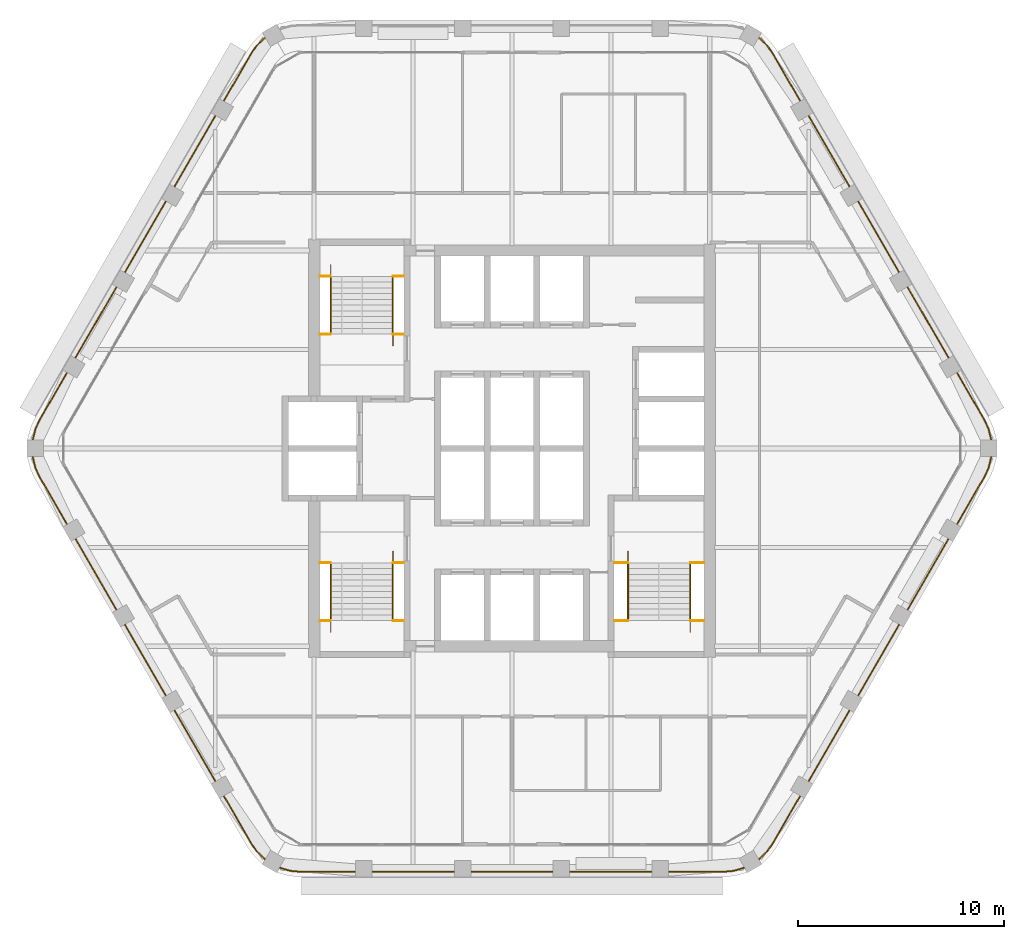
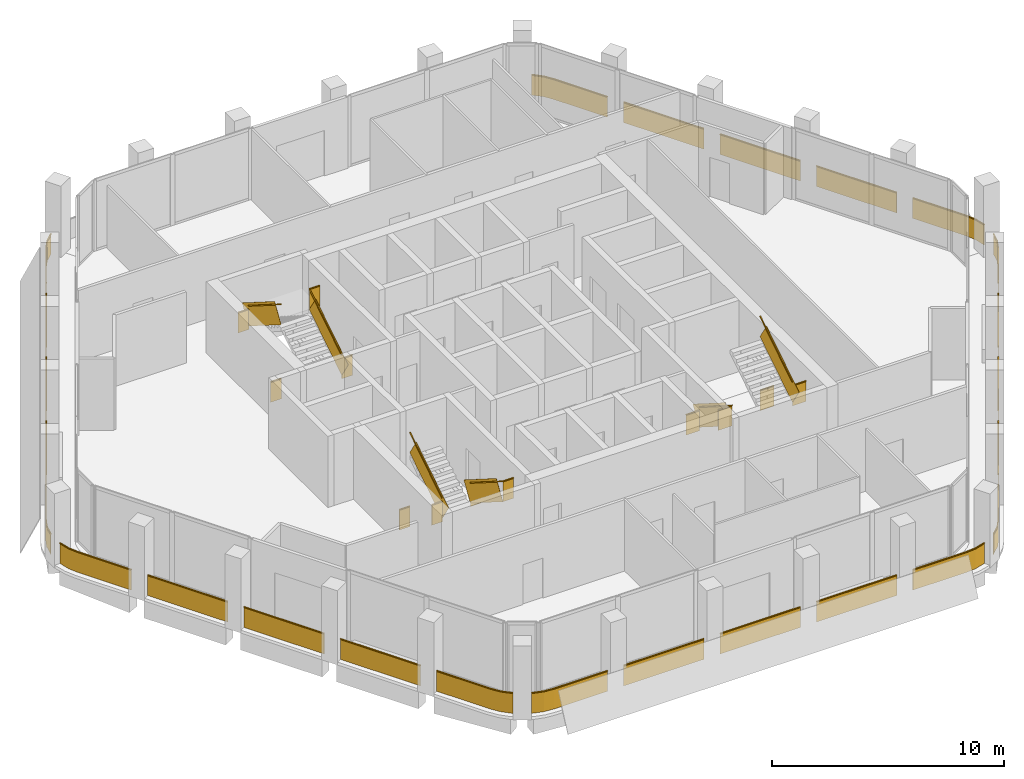
# One storey, part 12 of 13: 11 railings.
"""IFC4 building model written with IfcOpenShell, lengths in metres."""

from ifc_helpers import new_model, si_unit, direction, frame, frame_2d, origin, origin_2d, place, context, subcontext, project, spatial, rectangle, extrude, material, type_object, element, save


model = new_model("IFC4")

# Units and contexts
model_context = context("Model", 3, precision=1e-05, world=origin(), true_north=direction((0.0, 1.0)))
body_context = subcontext(model_context, "Body", "Model", "MODEL_VIEW")
ifc_project = project(units=[si_unit("LENGTHUNIT", "METRE"), si_unit("AREAUNIT", "SQUARE_METRE"), si_unit("VOLUMEUNIT", "CUBIC_METRE"), si_unit("PLANEANGLEUNIT", "RADIAN"), si_unit("MASSUNIT", "GRAM", prefix="KILO")], contexts=[model_context])

# Site, building, storey
site_placement = place(None, origin())
site = spatial("IfcSite", under=ifc_project, at=site_placement, CompositionType="ELEMENT")
building_placement = place(site_placement, origin())
building = spatial("IfcBuilding", under=site, at=building_placement, Name="Kolab Exchange Tower", CompositionType="ELEMENT")
storey_placement = place(building_placement, frame((0.0, 0.0, 257.89990234375)))
storey = spatial("IfcBuildingStorey", under=building, at=storey_placement, Name="L57", CompositionType="ELEMENT", Elevation=257.89990234375)

# Railings
ifc_material_1 = material(Name="Stainless steel 316", Category="steel")
railing_type_1 = type_object("IfcRailingType", Name="GUARD 1100", PredefinedType="GUARDRAIL", material=ifc_material_1)
railing_1_placement = place(storey_placement, frame((-9.324951171875, 5.550048828125, 0.0)))
element("IfcRailing", 1, at=railing_1_placement, inside=storey, type_object=railing_type_1, Name="Guard ST1", PredefinedType="GUARDRAIL", context=body_context, shape_type="SweptSolid", body=[
    extrude(rectangle(XDim=0.05, YDim=0.05, at=origin_2d()), frame((0.0, 0.0, 1.0751953125), z_axis=(1.0, 0.0, 0.0), x_axis=(0.0, 1.0, 0.0)), (0.0, 0.0, 1.0), 0.52734375),
    extrude(rectangle(XDim=0.012, YDim=1.05009765625, at=frame_2d((0.0, 0.525146484375))), frame((0.0, 0.0, 0.0), z_axis=(1.0, 0.0, 0.0), x_axis=(0.0, 1.0, 0.0)), (0.0, 0.0, 1.0), 0.52734375),
    extrude(rectangle(XDim=0.05, YDim=0.05, at=origin_2d()), frame((3.54736328125, 0.0, 1.0751953125), z_axis=(1.0, 0.0, 0.0), x_axis=(0.0, 1.0, 0.0)), (0.0, 0.0, 1.0), 0.527587890625),
    extrude(rectangle(XDim=0.012, YDim=1.05009765625, at=frame_2d((0.0, 0.525146484375))), frame((3.54736328125, 0.0, 0.0), z_axis=(1.0, 0.0, 0.0), x_axis=(0.0, 1.0, 0.0)), (0.0, 0.0, 1.0), 0.527587890625),
    extrude(rectangle(XDim=0.05, YDim=0.05, at=origin_2d()), frame((0.0, 2.800048828125, 3.025390625), z_axis=(1.0, 0.0, 0.0), x_axis=(0.0, 1.0, 0.0)), (0.0, 0.0, 1.0), 0.52734375),
    extrude(rectangle(XDim=0.012, YDim=1.05009765625, at=frame_2d((0.0, 0.525146484375))), frame((0.0, 2.800048828125, 1.9501953125), z_axis=(1.0, 0.0, 0.0), x_axis=(0.0, 1.0, 0.0)), (0.0, 0.0, 1.0), 0.52734375),
    extrude(rectangle(XDim=0.05, YDim=0.05, at=origin_2d()), frame((3.54736328125, 2.800048828125, 3.025390625), z_axis=(1.0, 0.0, 0.0), x_axis=(0.0, 1.0, 0.0)), (0.0, 0.0, 1.0), 0.527587890625),
    extrude(rectangle(XDim=0.012, YDim=1.05009765625, at=frame_2d((0.0, 0.525146484375))), frame((3.54736328125, 2.800048828125, 1.9501953125), z_axis=(1.0, 0.0, 0.0), x_axis=(0.0, 1.0, 0.0)), (0.0, 0.0, 1.0), 0.527587890625),
])
railing_2_placement = place(storey_placement, frame((-5.777587890625, 5.550048828125, 0.177490234375)))
element("IfcRailing", 2, at=railing_2_placement, inside=storey, type_object=railing_type_1, Name="Handrail guard ST1", PredefinedType="GUARDRAIL", context=body_context, shape_type="SweptSolid", body=[
    extrude(rectangle(XDim=0.05, YDim=0.05, at=origin_2d()), frame((0.0, 0.0, 1.0751953125), z_axis=(0.0, 0.844908973607, 0.534910110503), x_axis=(-1.0, 0.0, 0.0)), (0.0, 0.0, 1.0), 3.31396484375),
    extrude(rectangle(XDim=0.012, YDim=1.05009765625, at=frame_2d((0.0, 0.525146484375))), frame((0.0, 0.0, 0.0), z_axis=(0.0, 0.844908973607, 0.534910110503), x_axis=(-1.0, 0.0, 0.0)), (0.0, 0.0, 1.0), 3.31396484375),
    extrude(rectangle(XDim=0.05, YDim=0.05, at=origin_2d()), frame((-3.02001953125, 2.800048828125, 3.025146484375), z_axis=(0.0, -0.844908973607, 0.534910110503), x_axis=(1.0, 0.0, 0.0)), (0.0, 0.0, 1.0), 3.31396484375),
    extrude(rectangle(XDim=0.012, YDim=1.05009765625, at=frame_2d((0.0, 0.525146484375))), frame((-3.02001953125, 2.800048828125, 1.949951171875), z_axis=(0.0, -0.844908973607, 0.534910110503), x_axis=(1.0, 0.0, 0.0)), (0.0, 0.0, 1.0), 3.31396484375),
])
railing_3_placement = place(storey_placement, frame((-9.324951171875, -5.550048828125, 0.0)))
element("IfcRailing", 3, at=railing_3_placement, inside=storey, type_object=railing_type_1, Name="Guard ST3", PredefinedType="GUARDRAIL", context=body_context, shape_type="SweptSolid", body=[
    extrude(rectangle(XDim=0.05, YDim=0.05, at=origin_2d()), frame((0.0, 0.0, 1.0751953125), z_axis=(1.0, 0.0, 0.0), x_axis=(0.0, 1.0, 0.0)), (0.0, 0.0, 1.0), 0.52734375),
    extrude(rectangle(XDim=0.012, YDim=1.05009765625, at=frame_2d((0.0, 0.525146484375))), frame((0.0, 0.0, 0.0), z_axis=(1.0, 0.0, 0.0), x_axis=(0.0, 1.0, 0.0)), (0.0, 0.0, 1.0), 0.52734375),
    extrude(rectangle(XDim=0.05, YDim=0.05, at=origin_2d()), frame((3.54736328125, 0.0, 1.0751953125), z_axis=(1.0, 0.0, 0.0), x_axis=(0.0, 1.0, 0.0)), (0.0, 0.0, 1.0), 0.527587890625),
    extrude(rectangle(XDim=0.012, YDim=1.05009765625, at=frame_2d((0.0, 0.525146484375))), frame((3.54736328125, 0.0, 0.0), z_axis=(1.0, 0.0, 0.0), x_axis=(0.0, 1.0, 0.0)), (0.0, 0.0, 1.0), 0.527587890625),
    extrude(rectangle(XDim=0.05, YDim=0.05, at=origin_2d()), frame((0.0, -2.800048828125, 3.025390625), z_axis=(1.0, 0.0, 0.0), x_axis=(0.0, 1.0, 0.0)), (0.0, 0.0, 1.0), 0.52734375),
    extrude(rectangle(XDim=0.012, YDim=1.05009765625, at=frame_2d((0.0, 0.525146484375))), frame((0.0, -2.800048828125, 1.9501953125), z_axis=(1.0, 0.0, 0.0), x_axis=(0.0, 1.0, 0.0)), (0.0, 0.0, 1.0), 0.52734375),
    extrude(rectangle(XDim=0.05, YDim=0.05, at=origin_2d()), frame((3.54736328125, -2.800048828125, 3.025390625), z_axis=(1.0, 0.0, 0.0), x_axis=(0.0, 1.0, 0.0)), (0.0, 0.0, 1.0), 0.527587890625),
    extrude(rectangle(XDim=0.012, YDim=1.05009765625, at=frame_2d((0.0, 0.525146484375))), frame((3.54736328125, -2.800048828125, 1.9501953125), z_axis=(1.0, 0.0, 0.0), x_axis=(0.0, 1.0, 0.0)), (0.0, 0.0, 1.0), 0.527587890625),
])
railing_4_placement = place(storey_placement, frame((-5.777587890625, -5.550048828125, 0.177490234375)))
element("IfcRailing", 4, at=railing_4_placement, inside=storey, type_object=railing_type_1, Name="Handrail guard ST3", PredefinedType="GUARDRAIL", context=body_context, shape_type="SweptSolid", body=[
    extrude(rectangle(XDim=0.05, YDim=0.05, at=origin_2d()), frame((0.0, 0.0, 1.0751953125), z_axis=(0.0, -0.844908973607, 0.534910110503), x_axis=(1.0, 0.0, 0.0)), (0.0, 0.0, 1.0), 3.31396484375),
    extrude(rectangle(XDim=0.012, YDim=1.05009765625, at=frame_2d((0.0, 0.525146484375))), frame((0.0, 0.0, 0.0), z_axis=(0.0, -0.844908973607, 0.534910110503), x_axis=(1.0, 0.0, 0.0)), (0.0, 0.0, 1.0), 3.31396484375),
    extrude(rectangle(XDim=0.05, YDim=0.05, at=origin_2d()), frame((-3.02001953125, -2.800048828125, 3.025146484375), z_axis=(0.0, 0.844908973607, 0.534910110503), x_axis=(-1.0, 0.0, 0.0)), (0.0, 0.0, 1.0), 3.31396484375),
    extrude(rectangle(XDim=0.012, YDim=1.05009765625, at=frame_2d((0.0, 0.525146484375))), frame((-3.02001953125, -2.800048828125, 1.949951171875), z_axis=(0.0, 0.844908973607, 0.534910110503), x_axis=(-1.0, 0.0, 0.0)), (0.0, 0.0, 1.0), 3.31396484375),
])
railing_5_placement = place(storey_placement, frame((4.949951171875, -5.550048828125, 0.0)))
element("IfcRailing", 5, at=railing_5_placement, inside=storey, type_object=railing_type_1, Name="Guard ST2", PredefinedType="GUARDRAIL", context=body_context, shape_type="SweptSolid", body=[
    extrude(rectangle(XDim=0.05, YDim=0.05, at=origin_2d()), frame((0.0, 0.0, 1.0751953125), z_axis=(1.0, 0.0, 0.0), x_axis=(0.0, 1.0, 0.0)), (0.0, 0.0, 1.0), 0.677490234375),
    extrude(rectangle(XDim=0.012, YDim=1.05009765625, at=frame_2d((0.0, 0.525146484375))), frame((0.0, 0.0, 0.0), z_axis=(1.0, 0.0, 0.0), x_axis=(0.0, 1.0, 0.0)), (0.0, 0.0, 1.0), 0.677490234375),
    extrude(rectangle(XDim=0.05, YDim=0.05, at=origin_2d()), frame((3.697509765625, 0.0, 1.0751953125), z_axis=(1.0, 0.0, 0.0), x_axis=(0.0, 1.0, 0.0)), (0.0, 0.0, 1.0), 0.677490234375),
    extrude(rectangle(XDim=0.012, YDim=1.05009765625, at=frame_2d((0.0, 0.525146484375))), frame((3.697509765625, 0.0, 0.0), z_axis=(1.0, 0.0, 0.0), x_axis=(0.0, 1.0, 0.0)), (0.0, 0.0, 1.0), 0.677490234375),
    extrude(rectangle(XDim=0.05, YDim=0.05, at=origin_2d()), frame((0.0, -2.800048828125, 3.025390625), z_axis=(1.0, 0.0, 0.0), x_axis=(0.0, 1.0, 0.0)), (0.0, 0.0, 1.0), 0.677490234375),
    extrude(rectangle(XDim=0.012, YDim=1.05009765625, at=frame_2d((0.0, 0.525146484375))), frame((0.0, -2.800048828125, 1.9501953125), z_axis=(1.0, 0.0, 0.0), x_axis=(0.0, 1.0, 0.0)), (0.0, 0.0, 1.0), 0.677490234375),
    extrude(rectangle(XDim=0.05, YDim=0.05, at=origin_2d()), frame((3.697509765625, -2.800048828125, 3.025390625), z_axis=(1.0, 0.0, 0.0), x_axis=(0.0, 1.0, 0.0)), (0.0, 0.0, 1.0), 0.677490234375),
    extrude(rectangle(XDim=0.012, YDim=1.05009765625, at=frame_2d((0.0, 0.525146484375))), frame((3.697509765625, -2.800048828125, 1.9501953125), z_axis=(1.0, 0.0, 0.0), x_axis=(0.0, 1.0, 0.0)), (0.0, 0.0, 1.0), 0.677490234375),
])
railing_6_placement = place(storey_placement, frame((5.62744140625, -5.550048828125, 0.177490234375)))
element("IfcRailing", 6, at=railing_6_placement, inside=storey, type_object=railing_type_1, Name="Handrail guard ST2", PredefinedType="GUARDRAIL", context=body_context, shape_type="SweptSolid", body=[
    extrude(rectangle(XDim=0.05, YDim=0.05, at=origin_2d()), frame((0.0, 0.0, 1.0751953125), z_axis=(0.0, -0.844908973607, 0.534910110503), x_axis=(1.0, 0.0, 0.0)), (0.0, 0.0, 1.0), 3.31396484375),
    extrude(rectangle(XDim=0.012, YDim=1.05009765625, at=frame_2d((0.0, 0.525146484375))), frame((0.0, 0.0, 0.0), z_axis=(0.0, -0.844908973607, 0.534910110503), x_axis=(1.0, 0.0, 0.0)), (0.0, 0.0, 1.0), 3.31396484375),
    extrude(rectangle(XDim=0.05, YDim=0.05, at=origin_2d()), frame((3.02001953125, -2.800048828125, 3.025146484375), z_axis=(0.0, 0.844908973607, 0.534910110503), x_axis=(-1.0, 0.0, 0.0)), (0.0, 0.0, 1.0), 3.31396484375),
    extrude(rectangle(XDim=0.012, YDim=1.05009765625, at=frame_2d((0.0, 0.525146484375))), frame((3.02001953125, -2.800048828125, 1.949951171875), z_axis=(0.0, 0.844908973607, 0.534910110503), x_axis=(-1.0, 0.0, 0.0)), (0.0, 0.0, 1.0), 3.31396484375),
])
ifc_material_2 = material(Name="Steel S235", Category="steel")
railing_type_2 = type_object("IfcRailingType", Name="GUARD 1100 GLASS BALUSTRADE AND STEEL TOP RAIL", PredefinedType="GUARDRAIL", material=ifc_material_2)
railing_7_placement = place(storey_placement, frame((23.2509765625, 0.3984375, 0.0)))
element("IfcRailing", 7, at=railing_7_placement, inside=storey, type_object=railing_type_2, Name="Guard", PredefinedType="GUARDRAIL", context=body_context, shape_type="SweptSolid", body=[
    extrude(rectangle(XDim=0.05, YDim=0.05, at=origin_2d()), frame((0.0, 0.0, 1.0751953125), z_axis=(-0.234597748196, 0.972092534968, 0.0), x_axis=(-0.972092534968, -0.234597748196, 0.0)), (0.0, 0.0, 1.0), 0.557861328125),
    extrude(rectangle(XDim=0.012, YDim=1.05009765625, at=frame_2d((0.0, 0.525146484375))), frame((0.0, 0.0, 0.0), z_axis=(-0.234597748196, 0.972092534968, 0.0), x_axis=(-0.972092534968, -0.234597748196, 0.0)), (0.0, 0.0, 1.0), 0.557861328125),
    extrude(rectangle(XDim=0.05, YDim=0.05, at=origin_2d()), frame((-0.130859375, 0.542236328125, 1.0751953125), z_axis=(-0.422801802984, 0.906222177721, 0.0), x_axis=(-0.906222177721, -0.422801802984, 0.0)), (0.0, 0.0, 1.0), 0.479248046875),
    extrude(rectangle(XDim=0.012, YDim=1.05009765625, at=frame_2d((0.0, 0.525146484375))), frame((-0.130859375, 0.542236328125, 0.0), z_axis=(-0.422801802984, 0.906222177721, 0.0), x_axis=(-0.906222177721, -0.422801802984, 0.0)), (0.0, 0.0, 1.0), 0.479248046875),
    extrude(rectangle(XDim=0.05, YDim=0.05, at=origin_2d()), frame((-0.33349609375, 0.9765625, 1.0751953125), z_axis=(-0.499997052475, 0.866027105532, 0.0), x_axis=(-0.866027105532, -0.499997052475, 0.0)), (0.0, 0.0, 1.0), 2.66796875),
    extrude(rectangle(XDim=0.012, YDim=1.05009765625, at=frame_2d((0.0, 0.525146484375))), frame((-0.33349609375, 0.9765625, 0.0), z_axis=(-0.499997052475, 0.866027105532, 0.0), x_axis=(-0.866027105532, -0.499997052475, 0.0)), (0.0, 0.0, 1.0), 2.66796875),
    extrude(rectangle(XDim=0.05, YDim=0.05, at=origin_2d()), frame((-2.0673828125, 3.97998046875, 1.0751953125), z_axis=(-0.49999894854, 0.866026010844, 0.0), x_axis=(-0.866026010844, -0.49999894854, 0.0)), (0.0, 0.0, 1.0), 4.0),
    extrude(rectangle(XDim=0.012, YDim=1.05009765625, at=frame_2d((0.0, 0.525146484375))), frame((-2.0673828125, 3.97998046875, 0.0), z_axis=(-0.49999894854, 0.866026010844, 0.0), x_axis=(-0.866026010844, -0.49999894854, 0.0)), (0.0, 0.0, 1.0), 4.0),
    extrude(rectangle(XDim=0.05, YDim=0.05, at=origin_2d()), frame((-4.467529296875, 8.13671875, 1.0751953125), z_axis=(-0.49999894854, 0.866026010844, 0.0), x_axis=(-0.866026010844, -0.49999894854, 0.0)), (0.0, 0.0, 1.0), 4.0),
    extrude(rectangle(XDim=0.012, YDim=1.05009765625, at=frame_2d((0.0, 0.525146484375))), frame((-4.467529296875, 8.13671875, 0.0), z_axis=(-0.49999894854, 0.866026010844, 0.0), x_axis=(-0.866026010844, -0.49999894854, 0.0)), (0.0, 0.0, 1.0), 4.0),
    extrude(rectangle(XDim=0.05, YDim=0.05, at=origin_2d()), frame((-6.867431640625, 12.293701171875, 1.0751953125), z_axis=(-0.49999894854, 0.866026010844, 0.0), x_axis=(-0.866026010844, -0.49999894854, 0.0)), (0.0, 0.0, 1.0), 4.0),
    extrude(rectangle(XDim=0.012, YDim=1.05009765625, at=frame_2d((0.0, 0.525146484375))), frame((-6.867431640625, 12.293701171875, 0.0), z_axis=(-0.49999894854, 0.866026010844, 0.0), x_axis=(-0.866026010844, -0.49999894854, 0.0)), (0.0, 0.0, 1.0), 4.0),
    extrude(rectangle(XDim=0.05, YDim=0.05, at=origin_2d()), frame((-9.267578125, 16.45068359375, 1.0751953125), z_axis=(-0.499997052475, 0.866027105532, 0.0), x_axis=(-0.866027105532, -0.499997052475, 0.0)), (0.0, 0.0, 1.0), 2.66796875),
    extrude(rectangle(XDim=0.012, YDim=1.05009765625, at=frame_2d((0.0, 0.525146484375))), frame((-9.267578125, 16.45068359375, 0.0), z_axis=(-0.499997052475, 0.866027105532, 0.0), x_axis=(-0.866027105532, -0.499997052475, 0.0)), (0.0, 0.0, 1.0), 2.66796875),
    extrude(rectangle(XDim=0.05, YDim=0.05, at=origin_2d()), frame((-10.6015625, 18.76123046875, 1.0751953125), z_axis=(-0.573599091554, 0.819136180478, 0.0), x_axis=(-0.819136180478, -0.573599091554, 0.0)), (0.0, 0.0, 1.0), 0.479248046875),
    extrude(rectangle(XDim=0.012, YDim=1.05009765625, at=frame_2d((0.0, 0.525146484375))), frame((-10.6015625, 18.76123046875, 0.0), z_axis=(-0.573599091554, 0.819136180478, 0.0), x_axis=(-0.819136180478, -0.573599091554, 0.0)), (0.0, 0.0, 1.0), 0.479248046875),
    extrude(rectangle(XDim=0.05, YDim=0.05, at=origin_2d()), frame((-10.87646484375, 19.15380859375, 1.0751953125), z_axis=(-0.724189990991, 0.689600505327, 0.0), x_axis=(-0.689600505327, -0.724189990991, 0.0)), (0.0, 0.0, 1.0), 0.5576171875),
    extrude(rectangle(XDim=0.012, YDim=1.05009765625, at=frame_2d((0.0, 0.525146484375))), frame((-10.87646484375, 19.15380859375, 0.0), z_axis=(-0.724189990991, 0.689600505327, 0.0), x_axis=(-0.689600505327, -0.724189990991, 0.0)), (0.0, 0.0, 1.0), 0.5576171875),
])
railing_8_placement = place(storey_placement, frame((11.970703125, -19.936767578125, 0.0)))
element("IfcRailing", 8, at=railing_8_placement, inside=storey, type_object=railing_type_2, Name="Guard", PredefinedType="GUARDRAIL", context=body_context, shape_type="SweptSolid", body=[
    extrude(rectangle(XDim=0.05, YDim=0.05, at=origin_2d()), frame((0.0, 0.0, 1.0751953125), z_axis=(0.724189990991, 0.689600505327, 0.0), x_axis=(-0.689600505327, 0.724189990991, 0.0)), (0.0, 0.0, 1.0), 0.5576171875),
    extrude(rectangle(XDim=0.012, YDim=1.05009765625, at=frame_2d((0.0, 0.525146484375))), frame((0.0, 0.0, 0.0), z_axis=(0.724189990991, 0.689600505327, 0.0), x_axis=(-0.689600505327, 0.724189990991, 0.0)), (0.0, 0.0, 1.0), 0.5576171875),
    extrude(rectangle(XDim=0.05, YDim=0.05, at=origin_2d()), frame((0.40380859375, 0.384521484375, 1.0751953125), z_axis=(0.573599091554, 0.819136180478, 0.0), x_axis=(-0.819136180478, 0.573599091554, 0.0)), (0.0, 0.0, 1.0), 0.479248046875),
    extrude(rectangle(XDim=0.012, YDim=1.05009765625, at=frame_2d((0.0, 0.525146484375))), frame((0.40380859375, 0.384521484375, 0.0), z_axis=(0.573599091554, 0.819136180478, 0.0), x_axis=(-0.819136180478, 0.573599091554, 0.0)), (0.0, 0.0, 1.0), 0.479248046875),
    extrude(rectangle(XDim=0.05, YDim=0.05, at=origin_2d()), frame((0.6787109375, 0.777099609375, 1.0751953125), z_axis=(0.499997052475, 0.866027105532, 0.0), x_axis=(-0.866027105532, 0.499997052475, 0.0)), (0.0, 0.0, 1.0), 2.66796875),
    extrude(rectangle(XDim=0.012, YDim=1.05009765625, at=frame_2d((0.0, 0.525146484375))), frame((0.6787109375, 0.777099609375, 0.0), z_axis=(0.499997052475, 0.866027105532, 0.0), x_axis=(-0.866027105532, 0.499997052475, 0.0)), (0.0, 0.0, 1.0), 2.66796875),
    extrude(rectangle(XDim=0.05, YDim=0.05, at=origin_2d()), frame((2.412841796875, 3.780517578125, 1.0751953125), z_axis=(0.49999894854, 0.866026010844, 0.0), x_axis=(-0.866026010844, 0.49999894854, 0.0)), (0.0, 0.0, 1.0), 4.0),
    extrude(rectangle(XDim=0.012, YDim=1.05009765625, at=frame_2d((0.0, 0.525146484375))), frame((2.412841796875, 3.780517578125, 0.0), z_axis=(0.49999894854, 0.866026010844, 0.0), x_axis=(-0.866026010844, 0.49999894854, 0.0)), (0.0, 0.0, 1.0), 4.0),
    extrude(rectangle(XDim=0.05, YDim=0.05, at=origin_2d()), frame((4.812744140625, 7.9375, 1.0751953125), z_axis=(0.49999894854, 0.866026010844, 0.0), x_axis=(-0.866026010844, 0.49999894854, 0.0)), (0.0, 0.0, 1.0), 4.0),
    extrude(rectangle(XDim=0.012, YDim=1.05009765625, at=frame_2d((0.0, 0.525146484375))), frame((4.812744140625, 7.9375, 0.0), z_axis=(0.49999894854, 0.866026010844, 0.0), x_axis=(-0.866026010844, 0.49999894854, 0.0)), (0.0, 0.0, 1.0), 4.0),
    extrude(rectangle(XDim=0.05, YDim=0.05, at=origin_2d()), frame((7.212890625, 12.09423828125, 1.0751953125), z_axis=(0.49999894854, 0.866026010844, 0.0), x_axis=(-0.866026010844, 0.49999894854, 0.0)), (0.0, 0.0, 1.0), 4.0),
    extrude(rectangle(XDim=0.012, YDim=1.05009765625, at=frame_2d((0.0, 0.525146484375))), frame((7.212890625, 12.09423828125, 0.0), z_axis=(0.49999894854, 0.866026010844, 0.0), x_axis=(-0.866026010844, 0.49999894854, 0.0)), (0.0, 0.0, 1.0), 4.0),
    extrude(rectangle(XDim=0.05, YDim=0.05, at=origin_2d()), frame((9.61279296875, 16.251220703125, 1.0751953125), z_axis=(0.499997052475, 0.866027105532, 0.0), x_axis=(-0.866027105532, 0.499997052475, 0.0)), (0.0, 0.0, 1.0), 2.66796875),
    extrude(rectangle(XDim=0.012, YDim=1.05009765625, at=frame_2d((0.0, 0.525146484375))), frame((9.61279296875, 16.251220703125, 0.0), z_axis=(0.499997052475, 0.866027105532, 0.0), x_axis=(-0.866027105532, 0.499997052475, 0.0)), (0.0, 0.0, 1.0), 2.66796875),
    extrude(rectangle(XDim=0.05, YDim=0.05, at=origin_2d()), frame((10.94677734375, 18.561767578125, 1.0751953125), z_axis=(0.422801802984, 0.906222177721, 0.0), x_axis=(-0.906222177721, 0.422801802984, 0.0)), (0.0, 0.0, 1.0), 0.479248046875),
    extrude(rectangle(XDim=0.012, YDim=1.05009765625, at=frame_2d((0.0, 0.525146484375))), frame((10.94677734375, 18.561767578125, 0.0), z_axis=(0.422801802984, 0.906222177721, 0.0), x_axis=(-0.906222177721, 0.422801802984, 0.0)), (0.0, 0.0, 1.0), 0.479248046875),
    extrude(rectangle(XDim=0.05, YDim=0.05, at=origin_2d()), frame((11.1494140625, 18.99609375, 1.0751953125), z_axis=(0.234597748196, 0.972092534968, 0.0), x_axis=(-0.972092534968, 0.234597748196, 0.0)), (0.0, 0.0, 1.0), 0.557861328125),
    extrude(rectangle(XDim=0.012, YDim=1.05009765625, at=frame_2d((0.0, 0.525146484375))), frame((11.1494140625, 18.99609375, 0.0), z_axis=(0.234597748196, 0.972092534968, 0.0), x_axis=(-0.972092534968, 0.234597748196, 0.0)), (0.0, 0.0, 1.0), 0.557861328125),
])
railing_9_placement = place(storey_placement, frame((-11.280517578125, -20.335205078125, 0.0)))
element("IfcRailing", 9, at=railing_9_placement, inside=storey, type_object=railing_type_2, Name="Guard", PredefinedType="GUARDRAIL", context=body_context, shape_type="SweptSolid", body=[
    extrude(rectangle(XDim=0.05, YDim=0.05, at=origin_2d()), frame((0.0, 0.0, 1.0751953125), z_axis=(0.959212061764, -0.282687496304, 0.0), x_axis=(0.282687496304, 0.959212061764, 0.0)), (0.0, 0.0, 1.0), 0.557861328125),
    extrude(rectangle(XDim=0.012, YDim=1.05009765625, at=frame_2d((0.0, 0.525146484375))), frame((0.0, 0.0, 0.0), z_axis=(0.959212061764, -0.282687496304, 0.0), x_axis=(0.282687496304, 0.959212061764, 0.0)), (0.0, 0.0, 1.0), 0.557861328125),
    extrude(rectangle(XDim=0.05, YDim=0.05, at=origin_2d()), frame((0.53515625, -0.15771484375, 1.0751953125), z_axis=(0.996196482496, -0.087135344505, 0.0), x_axis=(0.087135344505, 0.996196482496, 0.0)), (0.0, 0.0, 1.0), 0.47900390625),
    extrude(rectangle(XDim=0.012, YDim=1.05009765625, at=frame_2d((0.0, 0.525146484375))), frame((0.53515625, -0.15771484375, 0.0), z_axis=(0.996196482496, -0.087135344505, 0.0), x_axis=(0.087135344505, 0.996196482496, 0.0)), (0.0, 0.0, 1.0), 0.47900390625),
    extrude(rectangle(XDim=0.05, YDim=0.05, at=origin_2d()), frame((1.012451171875, -0.199462890625, 1.0751953125), z_axis=(1.0, 0.0, 0.0), x_axis=(0.0, 1.0, 0.0)), (0.0, 0.0, 1.0), 2.66796875),
    extrude(rectangle(XDim=0.012, YDim=1.05009765625, at=frame_2d((0.0, 0.525146484375))), frame((1.012451171875, -0.199462890625, 0.0), z_axis=(1.0, 0.0, 0.0), x_axis=(0.0, 1.0, 0.0)), (0.0, 0.0, 1.0), 2.66796875),
    extrude(rectangle(XDim=0.05, YDim=0.05, at=origin_2d()), frame((4.48046875, -0.199462890625, 1.0751953125), z_axis=(1.0, 0.0, 0.0), x_axis=(0.0, 1.0, 0.0)), (0.0, 0.0, 1.0), 4.0),
    extrude(rectangle(XDim=0.012, YDim=1.05009765625, at=frame_2d((0.0, 0.525146484375))), frame((4.48046875, -0.199462890625, 0.0), z_axis=(1.0, 0.0, 0.0), x_axis=(0.0, 1.0, 0.0)), (0.0, 0.0, 1.0), 4.0),
    extrude(rectangle(XDim=0.05, YDim=0.05, at=origin_2d()), frame((9.280517578125, -0.199462890625, 1.0751953125), z_axis=(1.0, 0.0, 0.0), x_axis=(0.0, 1.0, 0.0)), (0.0, 0.0, 1.0), 4.0),
    extrude(rectangle(XDim=0.012, YDim=1.05009765625, at=frame_2d((0.0, 0.525146484375))), frame((9.280517578125, -0.199462890625, 0.0), z_axis=(1.0, 0.0, 0.0), x_axis=(0.0, 1.0, 0.0)), (0.0, 0.0, 1.0), 4.0),
    extrude(rectangle(XDim=0.05, YDim=0.05, at=origin_2d()), frame((14.08056640625, -0.199462890625, 1.0751953125), z_axis=(1.0, 0.0, 0.0), x_axis=(0.0, 1.0, 0.0)), (0.0, 0.0, 1.0), 4.0),
    extrude(rectangle(XDim=0.012, YDim=1.05009765625, at=frame_2d((0.0, 0.525146484375))), frame((14.08056640625, -0.199462890625, 0.0), z_axis=(1.0, 0.0, 0.0), x_axis=(0.0, 1.0, 0.0)), (0.0, 0.0, 1.0), 4.0),
    extrude(rectangle(XDim=0.05, YDim=0.05, at=origin_2d()), frame((18.880615234375, -0.199462890625, 1.0751953125), z_axis=(1.0, 0.0, 0.0), x_axis=(0.0, 1.0, 0.0)), (0.0, 0.0, 1.0), 2.66796875),
    extrude(rectangle(XDim=0.012, YDim=1.05009765625, at=frame_2d((0.0, 0.525146484375))), frame((18.880615234375, -0.199462890625, 0.0), z_axis=(1.0, 0.0, 0.0), x_axis=(0.0, 1.0, 0.0)), (0.0, 0.0, 1.0), 2.66796875),
    extrude(rectangle(XDim=0.05, YDim=0.05, at=origin_2d()), frame((21.548583984375, -0.199462890625, 1.0751953125), z_axis=(0.996196482496, 0.087135344505, 0.0), x_axis=(-0.087135344505, 0.996196482496, 0.0)), (0.0, 0.0, 1.0), 0.47900390625),
    extrude(rectangle(XDim=0.012, YDim=1.05009765625, at=frame_2d((0.0, 0.525146484375))), frame((21.548583984375, -0.199462890625, 0.0), z_axis=(0.996196482496, 0.087135344505, 0.0), x_axis=(-0.087135344505, 0.996196482496, 0.0)), (0.0, 0.0, 1.0), 0.47900390625),
    extrude(rectangle(XDim=0.05, YDim=0.05, at=origin_2d()), frame((22.02587890625, -0.15771484375, 1.0751953125), z_axis=(0.959212061764, 0.282687496304, 0.0), x_axis=(-0.282687496304, 0.959212061764, 0.0)), (0.0, 0.0, 1.0), 0.557861328125),
    extrude(rectangle(XDim=0.012, YDim=1.05009765625, at=frame_2d((0.0, 0.525146484375))), frame((22.02587890625, -0.15771484375, 0.0), z_axis=(0.959212061764, 0.282687496304, 0.0), x_axis=(-0.282687496304, 0.959212061764, 0.0)), (0.0, 0.0, 1.0), 0.557861328125),
])
railing_10_placement = place(storey_placement, frame((-23.2509765625, -0.3984375, 0.0)))
element("IfcRailing", 10, at=railing_10_placement, inside=storey, type_object=railing_type_2, Name="Guard", PredefinedType="GUARDRAIL", context=body_context, shape_type="SweptSolid", body=[
    extrude(rectangle(XDim=0.05, YDim=0.05, at=origin_2d()), frame((0.0, 0.0, 1.0751953125), z_axis=(0.234597748196, -0.972092534968, 0.0), x_axis=(0.972092534968, 0.234597748196, 0.0)), (0.0, 0.0, 1.0), 0.557861328125),
    extrude(rectangle(XDim=0.012, YDim=1.05009765625, at=frame_2d((0.0, 0.525146484375))), frame((0.0, 0.0, 0.0), z_axis=(0.234597748196, -0.972092534968, 0.0), x_axis=(0.972092534968, 0.234597748196, 0.0)), (0.0, 0.0, 1.0), 0.557861328125),
    extrude(rectangle(XDim=0.05, YDim=0.05, at=origin_2d()), frame((0.130859375, -0.542236328125, 1.0751953125), z_axis=(0.422801802984, -0.906222177721, 0.0), x_axis=(0.906222177721, 0.422801802984, 0.0)), (0.0, 0.0, 1.0), 0.479248046875),
    extrude(rectangle(XDim=0.012, YDim=1.05009765625, at=frame_2d((0.0, 0.525146484375))), frame((0.130859375, -0.542236328125, 0.0), z_axis=(0.422801802984, -0.906222177721, 0.0), x_axis=(0.906222177721, 0.422801802984, 0.0)), (0.0, 0.0, 1.0), 0.479248046875),
    extrude(rectangle(XDim=0.05, YDim=0.05, at=origin_2d()), frame((0.33349609375, -0.9765625, 1.0751953125), z_axis=(0.499997052475, -0.866027105532, 0.0), x_axis=(0.866027105532, 0.499997052475, 0.0)), (0.0, 0.0, 1.0), 2.66796875),
    extrude(rectangle(XDim=0.012, YDim=1.05009765625, at=frame_2d((0.0, 0.525146484375))), frame((0.33349609375, -0.9765625, 0.0), z_axis=(0.499997052475, -0.866027105532, 0.0), x_axis=(0.866027105532, 0.499997052475, 0.0)), (0.0, 0.0, 1.0), 2.66796875),
    extrude(rectangle(XDim=0.05, YDim=0.05, at=origin_2d()), frame((2.0673828125, -3.97998046875, 1.0751953125), z_axis=(0.49999894854, -0.866026010844, 0.0), x_axis=(0.866026010844, 0.49999894854, 0.0)), (0.0, 0.0, 1.0), 4.0),
    extrude(rectangle(XDim=0.012, YDim=1.05009765625, at=frame_2d((0.0, 0.525146484375))), frame((2.0673828125, -3.97998046875, 0.0), z_axis=(0.49999894854, -0.866026010844, 0.0), x_axis=(0.866026010844, 0.49999894854, 0.0)), (0.0, 0.0, 1.0), 4.0),
    extrude(rectangle(XDim=0.05, YDim=0.05, at=origin_2d()), frame((4.467529296875, -8.13671875, 1.0751953125), z_axis=(0.49999894854, -0.866026010844, 0.0), x_axis=(0.866026010844, 0.49999894854, 0.0)), (0.0, 0.0, 1.0), 4.0),
    extrude(rectangle(XDim=0.012, YDim=1.05009765625, at=frame_2d((0.0, 0.525146484375))), frame((4.467529296875, -8.13671875, 0.0), z_axis=(0.49999894854, -0.866026010844, 0.0), x_axis=(0.866026010844, 0.49999894854, 0.0)), (0.0, 0.0, 1.0), 4.0),
    extrude(rectangle(XDim=0.05, YDim=0.05, at=origin_2d()), frame((6.867431640625, -12.293701171875, 1.0751953125), z_axis=(0.49999894854, -0.866026010844, 0.0), x_axis=(0.866026010844, 0.49999894854, 0.0)), (0.0, 0.0, 1.0), 4.0),
    extrude(rectangle(XDim=0.012, YDim=1.05009765625, at=frame_2d((0.0, 0.525146484375))), frame((6.867431640625, -12.293701171875, 0.0), z_axis=(0.49999894854, -0.866026010844, 0.0), x_axis=(0.866026010844, 0.49999894854, 0.0)), (0.0, 0.0, 1.0), 4.0),
    extrude(rectangle(XDim=0.05, YDim=0.05, at=origin_2d()), frame((9.267578125, -16.45068359375, 1.0751953125), z_axis=(0.499997052475, -0.866027105532, 0.0), x_axis=(0.866027105532, 0.499997052475, 0.0)), (0.0, 0.0, 1.0), 2.66796875),
    extrude(rectangle(XDim=0.012, YDim=1.05009765625, at=frame_2d((0.0, 0.525146484375))), frame((9.267578125, -16.45068359375, 0.0), z_axis=(0.499997052475, -0.866027105532, 0.0), x_axis=(0.866027105532, 0.499997052475, 0.0)), (0.0, 0.0, 1.0), 2.66796875),
    extrude(rectangle(XDim=0.05, YDim=0.05, at=origin_2d()), frame((10.6015625, -18.76123046875, 1.0751953125), z_axis=(0.573599091554, -0.819136180478, 0.0), x_axis=(0.819136180478, 0.573599091554, 0.0)), (0.0, 0.0, 1.0), 0.479248046875),
    extrude(rectangle(XDim=0.012, YDim=1.05009765625, at=frame_2d((0.0, 0.525146484375))), frame((10.6015625, -18.76123046875, 0.0), z_axis=(0.573599091554, -0.819136180478, 0.0), x_axis=(0.819136180478, 0.573599091554, 0.0)), (0.0, 0.0, 1.0), 0.479248046875),
    extrude(rectangle(XDim=0.05, YDim=0.05, at=origin_2d()), frame((10.87646484375, -19.15380859375, 1.0751953125), z_axis=(0.724189990991, -0.689600505327, 0.0), x_axis=(0.689600505327, 0.724189990991, 0.0)), (0.0, 0.0, 1.0), 0.5576171875),
    extrude(rectangle(XDim=0.012, YDim=1.05009765625, at=frame_2d((0.0, 0.525146484375))), frame((10.87646484375, -19.15380859375, 0.0), z_axis=(0.724189990991, -0.689600505327, 0.0), x_axis=(0.689600505327, 0.724189990991, 0.0)), (0.0, 0.0, 1.0), 0.5576171875),
])
railing_11_placement = place(storey_placement, frame((-11.970703125, 19.936767578125, 0.0)))
element("IfcRailing", 11, at=railing_11_placement, inside=storey, type_object=railing_type_2, Name="Guard", PredefinedType="GUARDRAIL", context=body_context, shape_type="SweptSolid", body=[
    extrude(rectangle(XDim=0.05, YDim=0.05, at=origin_2d()), frame((0.0, 0.0, 1.0751953125), z_axis=(-0.724189990991, -0.689600505327, 0.0), x_axis=(0.689600505327, -0.724189990991, 0.0)), (0.0, 0.0, 1.0), 0.5576171875),
    extrude(rectangle(XDim=0.012, YDim=1.05009765625, at=frame_2d((0.0, 0.525146484375))), frame((0.0, 0.0, 0.0), z_axis=(-0.724189990991, -0.689600505327, 0.0), x_axis=(0.689600505327, -0.724189990991, 0.0)), (0.0, 0.0, 1.0), 0.5576171875),
    extrude(rectangle(XDim=0.05, YDim=0.05, at=origin_2d()), frame((-0.40380859375, -0.384521484375, 1.0751953125), z_axis=(-0.573599091554, -0.819136180478, 0.0), x_axis=(0.819136180478, -0.573599091554, 0.0)), (0.0, 0.0, 1.0), 0.479248046875),
    extrude(rectangle(XDim=0.012, YDim=1.05009765625, at=frame_2d((0.0, 0.525146484375))), frame((-0.40380859375, -0.384521484375, 0.0), z_axis=(-0.573599091554, -0.819136180478, 0.0), x_axis=(0.819136180478, -0.573599091554, 0.0)), (0.0, 0.0, 1.0), 0.479248046875),
    extrude(rectangle(XDim=0.05, YDim=0.05, at=origin_2d()), frame((-0.6787109375, -0.777099609375, 1.0751953125), z_axis=(-0.499997052475, -0.866027105532, 0.0), x_axis=(0.866027105532, -0.499997052475, 0.0)), (0.0, 0.0, 1.0), 2.66796875),
    extrude(rectangle(XDim=0.012, YDim=1.05009765625, at=frame_2d((0.0, 0.525146484375))), frame((-0.6787109375, -0.777099609375, 0.0), z_axis=(-0.499997052475, -0.866027105532, 0.0), x_axis=(0.866027105532, -0.499997052475, 0.0)), (0.0, 0.0, 1.0), 2.66796875),
    extrude(rectangle(XDim=0.05, YDim=0.05, at=origin_2d()), frame((-2.412841796875, -3.780517578125, 1.0751953125), z_axis=(-0.49999894854, -0.866026010844, 0.0), x_axis=(0.866026010844, -0.49999894854, 0.0)), (0.0, 0.0, 1.0), 4.0),
    extrude(rectangle(XDim=0.012, YDim=1.05009765625, at=frame_2d((0.0, 0.525146484375))), frame((-2.412841796875, -3.780517578125, 0.0), z_axis=(-0.49999894854, -0.866026010844, 0.0), x_axis=(0.866026010844, -0.49999894854, 0.0)), (0.0, 0.0, 1.0), 4.0),
    extrude(rectangle(XDim=0.05, YDim=0.05, at=origin_2d()), frame((-4.812744140625, -7.9375, 1.0751953125), z_axis=(-0.49999894854, -0.866026010844, 0.0), x_axis=(0.866026010844, -0.49999894854, 0.0)), (0.0, 0.0, 1.0), 4.0),
    extrude(rectangle(XDim=0.012, YDim=1.05009765625, at=frame_2d((0.0, 0.525146484375))), frame((-4.812744140625, -7.9375, 0.0), z_axis=(-0.49999894854, -0.866026010844, 0.0), x_axis=(0.866026010844, -0.49999894854, 0.0)), (0.0, 0.0, 1.0), 4.0),
    extrude(rectangle(XDim=0.05, YDim=0.05, at=origin_2d()), frame((-7.212890625, -12.09423828125, 1.0751953125), z_axis=(-0.49999894854, -0.866026010844, 0.0), x_axis=(0.866026010844, -0.49999894854, 0.0)), (0.0, 0.0, 1.0), 4.0),
    extrude(rectangle(XDim=0.012, YDim=1.05009765625, at=frame_2d((0.0, 0.525146484375))), frame((-7.212890625, -12.09423828125, 0.0), z_axis=(-0.49999894854, -0.866026010844, 0.0), x_axis=(0.866026010844, -0.49999894854, 0.0)), (0.0, 0.0, 1.0), 4.0),
    extrude(rectangle(XDim=0.05, YDim=0.05, at=origin_2d()), frame((-9.61279296875, -16.251220703125, 1.0751953125), z_axis=(-0.499997052475, -0.866027105532, 0.0), x_axis=(0.866027105532, -0.499997052475, 0.0)), (0.0, 0.0, 1.0), 2.66796875),
    extrude(rectangle(XDim=0.012, YDim=1.05009765625, at=frame_2d((0.0, 0.525146484375))), frame((-9.61279296875, -16.251220703125, 0.0), z_axis=(-0.499997052475, -0.866027105532, 0.0), x_axis=(0.866027105532, -0.499997052475, 0.0)), (0.0, 0.0, 1.0), 2.66796875),
    extrude(rectangle(XDim=0.05, YDim=0.05, at=origin_2d()), frame((-10.94677734375, -18.561767578125, 1.0751953125), z_axis=(-0.422801802984, -0.906222177721, 0.0), x_axis=(0.906222177721, -0.422801802984, 0.0)), (0.0, 0.0, 1.0), 0.479248046875),
    extrude(rectangle(XDim=0.012, YDim=1.05009765625, at=frame_2d((0.0, 0.525146484375))), frame((-10.94677734375, -18.561767578125, 0.0), z_axis=(-0.422801802984, -0.906222177721, 0.0), x_axis=(0.906222177721, -0.422801802984, 0.0)), (0.0, 0.0, 1.0), 0.479248046875),
    extrude(rectangle(XDim=0.05, YDim=0.05, at=origin_2d()), frame((-11.1494140625, -18.99609375, 1.0751953125), z_axis=(-0.234597748196, -0.972092534968, 0.0), x_axis=(0.972092534968, -0.234597748196, 0.0)), (0.0, 0.0, 1.0), 0.557861328125),
    extrude(rectangle(XDim=0.012, YDim=1.05009765625, at=frame_2d((0.0, 0.525146484375))), frame((-11.1494140625, -18.99609375, 0.0), z_axis=(-0.234597748196, -0.972092534968, 0.0), x_axis=(0.972092534968, -0.234597748196, 0.0)), (0.0, 0.0, 1.0), 0.557861328125),
])

save(model, "model.ifc")
